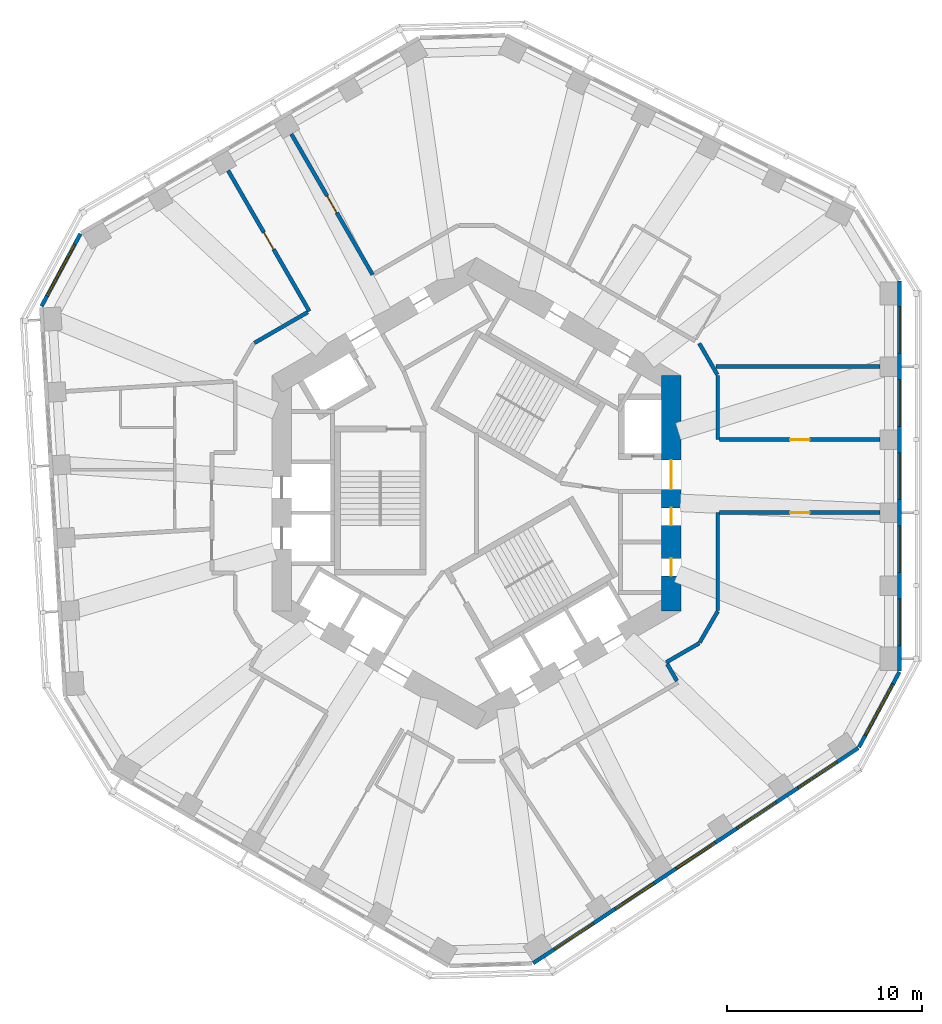
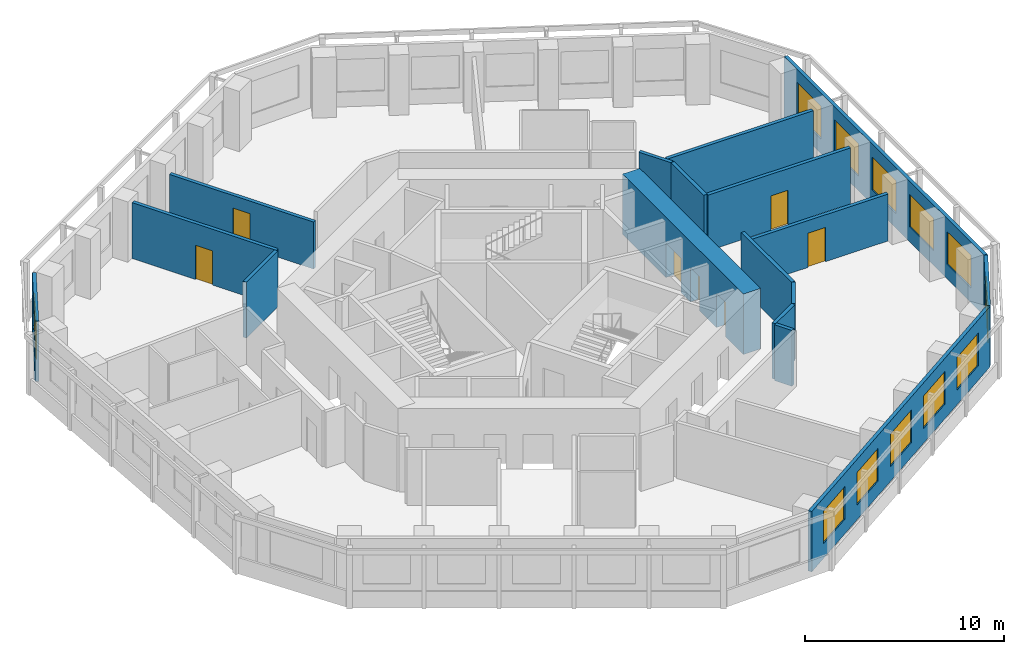
# One storey, part 6 of 10: 17 walls, 12 windows, 7 doors, 19 openings.
"""IFC4 building model written with IfcOpenShell, lengths in metres."""

from ifc_helpers import new_model, si_unit, direction, frame, frame_2d, origin, place, context, subcontext, project, spatial, rectangle, extrude, material, layer, layer_set, type_object, element, fill, save


model = new_model("IFC4")

# Units and contexts
model_context = context("Model", 3, precision=1e-05, world=origin(), true_north=direction((0.0, 1.0)))
body_context = subcontext(model_context, "Body", "Model", "MODEL_VIEW")
ifc_project = project(units=[si_unit("LENGTHUNIT", "METRE"), si_unit("AREAUNIT", "SQUARE_METRE"), si_unit("VOLUMEUNIT", "CUBIC_METRE"), si_unit("PLANEANGLEUNIT", "RADIAN"), si_unit("MASSUNIT", "GRAM", prefix="KILO")], contexts=[model_context])

# Site, building, storey
site_placement = place(None, origin())
site = spatial("IfcSite", under=ifc_project, at=site_placement, CompositionType="ELEMENT")
building_placement = place(site_placement, origin())
building = spatial("IfcBuilding", under=site, at=building_placement, Name="Vanh Sen Convention Tower", CompositionType="ELEMENT")
storey_placement = place(building_placement, frame((0.0, 0.0, 161.39990234375)))
storey = spatial("IfcBuildingStorey", under=building, at=storey_placement, Name="L39", CompositionType="ELEMENT", Elevation=161.39990234375)

# Wall, openings, doors
ifc_material_1 = material(Name="Concrete C80/95", Category="concrete")
ifc_layer_1 = layer(ifc_material_1, 1.0)
ifc_layer_set_1 = layer_set([ifc_layer_1], Name="Concrete C80/95")
wall_type_1 = type_object("IfcWallType", Name="Core outer wall 1000 C80/95", PredefinedType="SHEAR", material=ifc_layer_set_1)
wall_1_placement = place(storey_placement, frame((10.0, -6.062255859375, 0.0), z_axis=(0.0, 0.0, 1.0), x_axis=(0.0, 1.0, 0.0)))
wall_1 = element("IfcWall", 1, at=wall_1_placement, inside=storey, type_object=wall_type_1, Name="Core wall face E L39", PredefinedType="SHEAR", context=body_context, shape_type="SweptSolid", body=[
    extrude(rectangle(XDim=12.12451171875, YDim=1.0, at=frame_2d((6.062255859375, 0.0))), origin(), (0.0, 0.0, 1.0), 3.7001953125),
])
opening_1_placement = place(wall_1_placement, frame((6.26220703125, 0.0, 0.0)))
opening_1 = element("IfcOpeningElement", 2, at=opening_1_placement, cuts=wall_1, Name="Opening D38001", PredefinedType="OPENING", context=body_context, shape_type="SweptSolid", body=[
    extrude(rectangle(XDim=1.5, YDim=2.10009765625, at=frame_2d((0.75, 1.050048828125))), frame((0.0, 0.510009765625, 0.0), z_axis=(0.0, -1.0, 0.0), x_axis=(1.0, 0.0, 0.0)), (0.0, 0.0, 1.0), 1.02001953125),
])
opening_2_placement = place(wall_1_placement, frame((1.812255859375, 0.0, 0.0)))
opening_2 = element("IfcOpeningElement", 3, at=opening_2_placement, cuts=wall_1, Name="Opening D38009", PredefinedType="OPENING", context=body_context, shape_type="SweptSolid", body=[
    extrude(rectangle(XDim=0.89990234375, YDim=2.10009765625, at=frame_2d((0.449951171875, 1.050048828125))), frame((0.0, 0.510009765625, 0.0), z_axis=(0.0, -1.0, 0.0), x_axis=(1.0, 0.0, 0.0)), (0.0, 0.0, 1.0), 1.02001953125),
])
opening_3_placement = place(wall_1_placement, frame((4.412109375, 0.0, 0.0)))
opening_3 = element("IfcOpeningElement", 4, at=opening_3_placement, cuts=wall_1, Name="Opening D38010", PredefinedType="OPENING", context=body_context, shape_type="SweptSolid", body=[
    extrude(rectangle(XDim=0.89990234375, YDim=2.10009765625, at=frame_2d((0.449951171875, 1.050048828125))), frame((0.0, 0.510009765625, 0.0), z_axis=(0.0, -1.0, 0.0), x_axis=(1.0, 0.0, 0.0)), (0.0, 0.0, 1.0), 1.02001953125),
])
ifc_material_2 = material(Name="Steel S355", Category="steel")
door_type_1 = type_object("IfcDoorType", Name="Plant door 900", OperationType="SINGLE_SWING_LEFT", PredefinedType="DOOR", material=ifc_material_2)
door_1_placement = place(opening_2_placement, origin())
door_1 = element("IfcDoor", 5, at=door_1_placement, inside=storey, type_object=door_type_1, Name="Plant door D38009", OperationType="SINGLE_SWING_LEFT", OverallHeight=2.10009765625, OverallWidth=0.89990234375, PredefinedType="DOOR", context=body_context, shape_type="SweptSolid", body=[
    extrude(rectangle(XDim=0.89990234375, YDim=2.10009765625, at=frame_2d((0.449951171875, 1.050048828125))), frame((0.0, 0.02490234375, 0.0), z_axis=(0.0, -1.0, 0.0), x_axis=(1.0, 0.0, 0.0)), (0.0, 0.0, 1.0), 0.050048828125),
])
fill(opening_2, door_1)
door_2_placement = place(opening_3_placement, origin())
door_2 = element("IfcDoor", 6, at=door_2_placement, inside=storey, type_object=door_type_1, Name="Plant door D38010", OperationType="SINGLE_SWING_LEFT", OverallHeight=2.10009765625, OverallWidth=0.89990234375, PredefinedType="DOOR", context=body_context, shape_type="SweptSolid", body=[
    extrude(rectangle(XDim=0.89990234375, YDim=2.10009765625, at=frame_2d((0.449951171875, 1.050048828125))), frame((0.0, 0.02490234375, 0.0), z_axis=(0.0, -1.0, 0.0), x_axis=(1.0, 0.0, 0.0)), (0.0, 0.0, 1.0), 0.050048828125),
])
fill(opening_3, door_2)
door_type_2 = type_object("IfcDoorType", Name="Stair lobby door 1500", OperationType="DOUBLE_DOOR_SINGLE_SWING", PredefinedType="DOOR", material=ifc_material_2)
door_3_placement = place(opening_1_placement, origin())
door_3 = element("IfcDoor", 7, at=door_3_placement, inside=storey, type_object=door_type_2, Name="Stair lobby door D38001", OperationType="DOUBLE_DOOR_SINGLE_SWING", OverallHeight=2.10009765625, OverallWidth=1.5, PredefinedType="DOOR", context=body_context, shape_type="SweptSolid", body=[
    extrude(rectangle(XDim=1.5, YDim=2.10009765625, at=frame_2d((0.75, 1.050048828125))), frame((0.0, 0.02490234375, 0.0), z_axis=(0.0, -1.0, 0.0), x_axis=(1.0, 0.0, 0.0)), (0.0, 0.0, 1.0), 0.050048828125),
])
fill(opening_1, door_3)

# Wall, opening, door
ifc_material_3 = material(Name="Gypsum board on steel studs with mineral wool", Category="steel")
ifc_layer_2 = layer(ifc_material_3, 0.199951171875)
ifc_layer_set_2 = layer_set([ifc_layer_2], Name="Gypsum board on steel studs with mineral wool")
wall_type_2 = type_object("IfcWallType", Name="Corridor partition wall 200", PredefinedType="PARTITIONING", material=ifc_layer_set_2)
wall_2_placement = place(storey_placement, frame((-12.766357421875, 16.58935546875, 0.0), z_axis=(0.0, 0.0, 1.0), x_axis=(0.500010139422, -0.866019549707, 0.0)))
wall_2 = element("IfcWall", 8, at=wall_2_placement, inside=storey, type_object=wall_type_2, Name="Corridor partition wall 200", PredefinedType="PARTITIONING", context=body_context, shape_type="SweptSolid", body=[
    extrude(rectangle(XDim=8.349853515625, YDim=0.199951171875, at=frame_2d((4.1748046875, 0.0))), origin(), (0.0, 0.0, 1.0), 3.420166015625),
])
opening_4_placement = place(wall_2_placement, frame((3.675048828125, 0.0, 0.0)))
opening_4 = element("IfcOpeningElement", 9, at=opening_4_placement, cuts=wall_2, Name="Opening D38106", PredefinedType="OPENING", context=body_context, shape_type="SweptSolid", body=[
    extrude(rectangle(XDim=1.0, YDim=2.10009765625, at=frame_2d((0.5, 1.050048828125))), frame((0.0, 0.10986328125, 0.0), z_axis=(0.0, -1.0, 0.0), x_axis=(1.0, 0.0, 0.0)), (0.0, 0.0, 1.0), 0.219970703125),
])
ifc_material_4 = material(Name="Timber fire door in steel frame", Category="steel")
door_type_3 = type_object("IfcDoorType", Name="Floor room door 1000", OperationType="SINGLE_SWING_LEFT", PredefinedType="DOOR", material=ifc_material_4)
door_4_placement = place(opening_4_placement, origin())
door_4 = element("IfcDoor", 10, at=door_4_placement, inside=storey, type_object=door_type_3, Name="Meeting and amenity room door D38106", OperationType="SINGLE_SWING_LEFT", OverallHeight=2.10009765625, OverallWidth=1.0, PredefinedType="DOOR", context=body_context, shape_type="SweptSolid", body=[
    extrude(rectangle(XDim=1.0, YDim=2.10009765625, at=frame_2d((0.5, 1.050048828125))), frame((0.0, 0.02490234375, 0.0), z_axis=(0.0, -1.0, 0.0), x_axis=(1.0, 0.0, 0.0)), (0.0, 0.0, 1.0), 0.050048828125),
])
fill(opening_4, door_4)

wall_3_placement = place(storey_placement, frame((-9.51513671875, 18.46630859375, 0.0), z_axis=(0.0, 0.0, 1.0), x_axis=(0.500010139422, -0.866019549707, 0.0)))
wall_3 = element("IfcWall", 11, at=wall_3_placement, inside=storey, type_object=wall_type_2, Name="Corridor partition wall 200", PredefinedType="PARTITIONING", context=body_context, shape_type="SweptSolid", body=[
    extrude(rectangle(XDim=8.349853515625, YDim=0.199951171875, at=frame_2d((4.1748046875, 0.0))), origin(), (0.0, 0.0, 1.0), 2.8701171875),
])
opening_5_placement = place(wall_3_placement, frame((3.675048828125, 0.0, 0.0)))
opening_5 = element("IfcOpeningElement", 12, at=opening_5_placement, cuts=wall_3, Name="Opening D38105", PredefinedType="OPENING", context=body_context, shape_type="SweptSolid", body=[
    extrude(rectangle(XDim=1.0, YDim=2.10009765625, at=frame_2d((0.5, 1.050048828125))), frame((0.0, 0.10986328125, 0.0), z_axis=(0.0, -1.0, 0.0), x_axis=(1.0, 0.0, 0.0)), (0.0, 0.0, 1.0), 0.219970703125),
])
door_5_placement = place(opening_5_placement, origin())
door_5 = element("IfcDoor", 13, at=door_5_placement, inside=storey, type_object=door_type_3, Name="Meeting and amenity room door D38105", OperationType="SINGLE_SWING_LEFT", OverallHeight=2.10009765625, OverallWidth=1.0, PredefinedType="DOOR", context=body_context, shape_type="SweptSolid", body=[
    extrude(rectangle(XDim=1.0, YDim=2.10009765625, at=frame_2d((0.5, 1.050048828125))), frame((0.0, 0.02490234375, 0.0), z_axis=(0.0, -1.0, 0.0), x_axis=(1.0, 0.0, 0.0)), (0.0, 0.0, 1.0), 0.050048828125),
])
fill(opening_5, door_5)

# Walls
wall_4_placement = place(storey_placement, frame((-8.677978515625, 9.30810546875, 0.0), z_axis=(0.0, 0.0, 1.0), x_axis=(-0.866000359435, -0.500043375578, 0.0)))
element("IfcWall", 14, at=wall_4_placement, inside=storey, type_object=wall_type_2, Name="Corridor partition wall 200", PredefinedType="PARTITIONING", context=body_context, shape_type="SweptSolid", body=[
    extrude(rectangle(XDim=3.160888671875, YDim=0.199951171875, at=frame_2d((1.58056640625, 0.0))), origin(), (0.0, 0.0, 1.0), 3.420166015625),
])
wall_5_placement = place(storey_placement, frame((9.751708984375, -8.688232421875, 0.0), z_axis=(0.0, 0.0, 1.0), x_axis=(0.865974105138, 0.500088841337, 0.0)))
element("IfcWall", 15, at=wall_5_placement, inside=storey, type_object=wall_type_2, Name="Corridor partition wall 200", PredefinedType="PARTITIONING", context=body_context, shape_type="SweptSolid", body=[
    extrude(rectangle(XDim=1.961181640625, YDim=0.199951171875, at=frame_2d((0.98046875, 0.0))), origin(), (0.0, 0.0, 1.0), 3.420166015625),
])
wall_6_placement = place(storey_placement, frame((10.302001953125, -9.6416015625, 0.0), z_axis=(0.0, 0.0, 1.0), x_axis=(-0.500074377092, 0.865982457891, 0.0)))
element("IfcWall", 16, at=wall_6_placement, inside=storey, type_object=wall_type_2, Name="Corridor partition wall 200", PredefinedType="PARTITIONING", context=body_context, shape_type="SweptSolid", body=[
    extrude(rectangle(XDim=1.000732421875, YDim=0.199951171875, at=frame_2d((0.50048828125, 0.0))), origin(), (0.0, 0.0, 1.0), 3.420166015625),
])
for number, where, z_axis, x_axis, name in (
    (17, (11.469970703125, -7.673095703125, 0.0), (0.0, 0.0, 1.0), (0.499964847546, 0.866045698112, 0.0), "Corridor partition wall 200"),
    (18, (12.3798828125, 6.0966796875, 0.0), (0.0, 0.0, 1.0), (-0.499964847546, 0.866045698112, 0.0), "Corridor partition wall 200"),
):
    element("IfcWall", number, at=place(storey_placement, frame(where, z_axis=z_axis, x_axis=x_axis)), inside=storey, type_object=wall_type_2, Name=name, PredefinedType="PARTITIONING", context=body_context, shape_type="SweptSolid", body=[
        extrude(rectangle(XDim=1.860107421875, YDim=0.199951171875, at=frame_2d((0.93017578125, 0.0))), origin(), (0.0, 0.0, 1.0), 3.420166015625),
    ])
wall_7_placement = place(storey_placement, frame((12.39990234375, -6.022216796875, 0.0), z_axis=(0.0, 0.0, 1.0), x_axis=(0.0, 1.0, 0.0)))
element("IfcWall", 19, at=wall_7_placement, inside=storey, type_object=wall_type_2, Name="Corridor partition wall 200", PredefinedType="PARTITIONING", context=body_context, shape_type="SweptSolid", body=[
    extrude(rectangle(XDim=5.029296875, YDim=0.199951171875, at=frame_2d((2.5146484375, 0.0))), origin(), (0.0, 0.0, 1.0), 3.420166015625),
])
wall_8_placement = place(storey_placement, frame((12.39990234375, 2.76123046875, 0.0), z_axis=(0.0, 0.0, 1.0), x_axis=(0.0, 1.0, 0.0)))
element("IfcWall", 20, at=wall_8_placement, inside=storey, type_object=wall_type_2, Name="Corridor partition wall 200", PredefinedType="PARTITIONING", context=body_context, shape_type="SweptSolid", body=[
    extrude(rectangle(XDim=3.301025390625, YDim=0.199951171875, at=frame_2d((1.650390625, 0.0))), origin(), (0.0, 0.0, 1.0), 3.420166015625),
])

# Wall, opening, door
wall_9_placement = place(storey_placement, frame((12.5, -0.992919921875, 0.0), z_axis=(0.0, 0.0, 1.0), x_axis=(1.0, 0.0, 0.0)))
wall_9 = element("IfcWall", 21, at=wall_9_placement, inside=storey, type_object=wall_type_2, Name="Corridor partition wall 200", PredefinedType="PARTITIONING", context=body_context, shape_type="SweptSolid", body=[
    extrude(rectangle(XDim=8.25, YDim=0.199951171875, at=frame_2d((4.125, 0.0))), origin(), (0.0, 0.0, 1.0), 2.8701171875),
])
opening_6_placement = place(wall_9_placement, frame((3.625, 0.0, 0.0)))
opening_6 = element("IfcOpeningElement", 22, at=opening_6_placement, cuts=wall_9, Name="Opening D38116", PredefinedType="OPENING", context=body_context, shape_type="SweptSolid", body=[
    extrude(rectangle(XDim=1.0, YDim=2.10009765625, at=frame_2d((0.5, 1.050048828125))), frame((0.0, 0.10986328125, 0.0), z_axis=(0.0, -1.0, 0.0), x_axis=(1.0, 0.0, 0.0)), (0.0, 0.0, 1.0), 0.219970703125),
])
door_6_placement = place(opening_6_placement, origin())
door_6 = element("IfcDoor", 23, at=door_6_placement, inside=storey, type_object=door_type_3, Name="Meeting and amenity room door D38116", OperationType="SINGLE_SWING_LEFT", OverallHeight=2.10009765625, OverallWidth=1.0, PredefinedType="DOOR", context=body_context, shape_type="SweptSolid", body=[
    extrude(rectangle(XDim=1.0, YDim=2.10009765625, at=frame_2d((0.5, 1.050048828125))), frame((0.0, 0.02490234375, 0.0), z_axis=(0.0, -1.0, 0.0), x_axis=(1.0, 0.0, 0.0)), (0.0, 0.0, 1.0), 0.050048828125),
])
fill(opening_6, door_6)

wall_10_placement = place(storey_placement, frame((20.75, 2.76123046875, 0.0), z_axis=(0.0, 0.0, 1.0), x_axis=(-1.0, 0.0, 0.0)))
wall_10 = element("IfcWall", 24, at=wall_10_placement, inside=storey, type_object=wall_type_2, Name="Corridor partition wall 200", PredefinedType="PARTITIONING", context=body_context, shape_type="SweptSolid", body=[
    extrude(rectangle(XDim=8.25, YDim=0.199951171875, at=frame_2d((4.125, 0.0))), origin(), (0.0, 0.0, 1.0), 3.420166015625),
])
opening_7_placement = place(wall_10_placement, frame((3.625, 0.0, 0.0)))
opening_7 = element("IfcOpeningElement", 25, at=opening_7_placement, cuts=wall_10, Name="Opening D38101", PredefinedType="OPENING", context=body_context, shape_type="SweptSolid", body=[
    extrude(rectangle(XDim=1.0, YDim=2.10009765625, at=frame_2d((0.5, 1.050048828125))), frame((0.0, 0.10986328125, 0.0), z_axis=(0.0, -1.0, 0.0), x_axis=(1.0, 0.0, 0.0)), (0.0, 0.0, 1.0), 0.219970703125),
])
ifc_material_5 = material(Name="Glazed fire door in steel frame", Category="steel")
door_type_4 = type_object("IfcDoorType", Name="Tenant entrance door 1000", OperationType="SINGLE_SWING_LEFT", PredefinedType="DOOR", material=ifc_material_5)
door_7_placement = place(opening_7_placement, origin())
door_7 = element("IfcDoor", 26, at=door_7_placement, inside=storey, type_object=door_type_4, Name="Tenant suite entrance door D38101", OperationType="SINGLE_SWING_LEFT", OverallHeight=2.10009765625, OverallWidth=1.0, PredefinedType="DOOR", context=body_context, shape_type="SweptSolid", body=[
    extrude(rectangle(XDim=1.0, YDim=2.10009765625, at=frame_2d((0.5, 1.050048828125))), frame((0.0, 0.02490234375, 0.0), z_axis=(0.0, -1.0, 0.0), x_axis=(1.0, 0.0, 0.0)), (0.0, 0.0, 1.0), 0.050048828125),
])
fill(opening_7, door_7)

# Wall, openings, windows
ifc_material_6 = material(Name="Insulated lightweight infill wall")
ifc_layer_3 = layer(ifc_material_6, 0.199951171875)
ifc_layer_set_3 = layer_set([ifc_layer_3], Name="Insulated lightweight infill wall")
wall_type_3 = type_object("IfcWallType", Name="External wall 200", PredefinedType="STANDARD", material=ifc_layer_set_3)
wall_11_placement = place(storey_placement, frame((21.75, -9.138427734375, 0.0), z_axis=(0.0, 0.0, 1.0), x_axis=(0.0, 1.0, 0.0)))
wall_11 = element("IfcWall", 27, at=wall_11_placement, inside=storey, type_object=wall_type_3, Name="External wall E L39", PredefinedType="STANDARD", context=body_context, shape_type="SweptSolid", body=[
    extrude(rectangle(XDim=20.043701171875, YDim=0.199951171875, at=frame_2d((10.02197265625, 0.0))), origin(), (0.0, 0.0, 1.0), 3.7001953125),
])
opening_8_placement = place(wall_11_placement, frame((1.314453125, 0.0, 0.89990234375)))
opening_8 = element("IfcOpeningElement", 28, at=opening_8_placement, cuts=wall_11, Name="Opening WO1-E1", PredefinedType="OPENING", context=body_context, shape_type="SweptSolid", body=[
    extrude(rectangle(XDim=2.39990234375, YDim=2.0, at=frame_2d((1.199951171875, 1.0))), frame((0.0, 0.10986328125, 0.0), z_axis=(0.0, -1.0, 0.0), x_axis=(1.0, 0.0, 0.0)), (0.0, 0.0, 1.0), 0.219970703125),
])
opening_9_placement = place(wall_11_placement, frame((5.068603515625, 0.0, 0.89990234375)))
opening_9 = element("IfcOpeningElement", 29, at=opening_9_placement, cuts=wall_11, Name="Opening WO1-E2", PredefinedType="OPENING", context=body_context, shape_type="SweptSolid", body=[
    extrude(rectangle(XDim=2.39990234375, YDim=2.0, at=frame_2d((1.199951171875, 1.0))), frame((0.0, 0.10986328125, 0.0), z_axis=(0.0, -1.0, 0.0), x_axis=(1.0, 0.0, 0.0)), (0.0, 0.0, 1.0), 0.219970703125),
])
opening_10_placement = place(wall_11_placement, frame((8.82275390625, 0.0, 0.89990234375)))
opening_10 = element("IfcOpeningElement", 30, at=opening_10_placement, cuts=wall_11, Name="Opening WO1-E3", PredefinedType="OPENING", context=body_context, shape_type="SweptSolid", body=[
    extrude(rectangle(XDim=2.39990234375, YDim=2.0, at=frame_2d((1.199951171875, 1.0))), frame((0.0, 0.10986328125, 0.0), z_axis=(0.0, -1.0, 0.0), x_axis=(1.0, 0.0, 0.0)), (0.0, 0.0, 1.0), 0.219970703125),
])
opening_11_placement = place(wall_11_placement, frame((12.576904296875, 0.0, 0.89990234375)))
opening_11 = element("IfcOpeningElement", 31, at=opening_11_placement, cuts=wall_11, Name="Opening WO1-E4", PredefinedType="OPENING", context=body_context, shape_type="SweptSolid", body=[
    extrude(rectangle(XDim=2.39990234375, YDim=2.0, at=frame_2d((1.199951171875, 1.0))), frame((0.0, 0.10986328125, 0.0), z_axis=(0.0, -1.0, 0.0), x_axis=(1.0, 0.0, 0.0)), (0.0, 0.0, 1.0), 0.219970703125),
])
opening_12_placement = place(wall_11_placement, frame((16.330810546875, 0.0, 0.89990234375)))
opening_12 = element("IfcOpeningElement", 32, at=opening_12_placement, cuts=wall_11, Name="Opening WO1-E5", PredefinedType="OPENING", context=body_context, shape_type="SweptSolid", body=[
    extrude(rectangle(XDim=2.39990234375, YDim=2.0, at=frame_2d((1.199951171875, 1.0))), frame((0.0, 0.10986328125, 0.0), z_axis=(0.0, -1.0, 0.0), x_axis=(1.0, 0.0, 0.0)), (0.0, 0.0, 1.0), 0.219970703125),
])
ifc_material_7 = material(Name="Aluminium frame with clear low-emissivity glass", Category="aluminium")
window_type_1 = type_object("IfcWindowType", Name="Office window 2400 x 2000", PartitioningType="SINGLE_PANEL", PredefinedType="WINDOW", material=ifc_material_7)
window_1_placement = place(opening_8_placement, origin())
window_1 = element("IfcWindow", 33, at=window_1_placement, inside=storey, type_object=window_type_1, Name="Window WO1-E1", OverallHeight=2.0, OverallWidth=2.39990234375, PartitioningType="SINGLE_PANEL", PredefinedType="WINDOW", context=body_context, shape_type="SweptSolid", body=[
    extrude(rectangle(XDim=2.39990234375, YDim=2.0, at=frame_2d((1.199951171875, 1.0))), frame((0.0, 0.030029296875, 0.0), z_axis=(0.0, -1.0, 0.0), x_axis=(1.0, 0.0, 0.0)), (0.0, 0.0, 1.0), 0.06005859375),
])
fill(opening_8, window_1)
window_2_placement = place(opening_9_placement, origin())
window_2 = element("IfcWindow", 34, at=window_2_placement, inside=storey, type_object=window_type_1, Name="Window WO1-E2", OverallHeight=2.0, OverallWidth=2.39990234375, PartitioningType="SINGLE_PANEL", PredefinedType="WINDOW", context=body_context, shape_type="SweptSolid", body=[
    extrude(rectangle(XDim=2.39990234375, YDim=2.0, at=frame_2d((1.199951171875, 1.0))), frame((0.0, 0.030029296875, 0.0), z_axis=(0.0, -1.0, 0.0), x_axis=(1.0, 0.0, 0.0)), (0.0, 0.0, 1.0), 0.06005859375),
])
fill(opening_9, window_2)
window_3_placement = place(opening_10_placement, origin())
window_3 = element("IfcWindow", 35, at=window_3_placement, inside=storey, type_object=window_type_1, Name="Window WO1-E3", OverallHeight=2.0, OverallWidth=2.39990234375, PartitioningType="SINGLE_PANEL", PredefinedType="WINDOW", context=body_context, shape_type="SweptSolid", body=[
    extrude(rectangle(XDim=2.39990234375, YDim=2.0, at=frame_2d((1.199951171875, 1.0))), frame((0.0, 0.030029296875, 0.0), z_axis=(0.0, -1.0, 0.0), x_axis=(1.0, 0.0, 0.0)), (0.0, 0.0, 1.0), 0.06005859375),
])
fill(opening_10, window_3)
window_4_placement = place(opening_11_placement, origin())
window_4 = element("IfcWindow", 36, at=window_4_placement, inside=storey, type_object=window_type_1, Name="Window WO1-E4", OverallHeight=2.0, OverallWidth=2.39990234375, PartitioningType="SINGLE_PANEL", PredefinedType="WINDOW", context=body_context, shape_type="SweptSolid", body=[
    extrude(rectangle(XDim=2.39990234375, YDim=2.0, at=frame_2d((1.199951171875, 1.0))), frame((0.0, 0.030029296875, 0.0), z_axis=(0.0, -1.0, 0.0), x_axis=(1.0, 0.0, 0.0)), (0.0, 0.0, 1.0), 0.06005859375),
])
fill(opening_11, window_4)
window_5_placement = place(opening_12_placement, origin())
window_5 = element("IfcWindow", 37, at=window_5_placement, inside=storey, type_object=window_type_1, Name="Window WO1-E5", OverallHeight=2.0, OverallWidth=2.39990234375, PartitioningType="SINGLE_PANEL", PredefinedType="WINDOW", context=body_context, shape_type="SweptSolid", body=[
    extrude(rectangle(XDim=2.39990234375, YDim=2.0, at=frame_2d((1.199951171875, 1.0))), frame((0.0, 0.030029296875, 0.0), z_axis=(0.0, -1.0, 0.0), x_axis=(1.0, 0.0, 0.0)), (0.0, 0.0, 1.0), 0.06005859375),
])
fill(opening_12, window_5)

# Wall, opening, window
wall_12_placement = place(storey_placement, frame((-20.357421875, 13.343994140625, 0.0), z_axis=(0.0, 0.0, 1.0), x_axis=(-0.473288913494, -0.880907262068, 0.0)))
wall_12 = element("IfcWall", 38, at=wall_12_placement, inside=storey, type_object=wall_type_3, Name="External wall CH3 L39", PredefinedType="STANDARD", context=body_context, shape_type="SweptSolid", body=[
    extrude(rectangle(XDim=4.238037109375, YDim=0.199951171875, at=frame_2d((2.119140625, 0.0))), origin(), (0.0, 0.0, 1.0), 3.7001953125),
])
opening_13_placement = place(wall_12_placement, frame((0.619140625, 0.0, 0.89990234375)))
opening_13 = element("IfcOpeningElement", 39, at=opening_13_placement, cuts=wall_12, Name="Opening WO2-CH31", PredefinedType="OPENING", context=body_context, shape_type="SweptSolid", body=[
    extrude(rectangle(XDim=3.0, YDim=2.0, at=frame_2d((1.5, 1.0))), frame((0.0, 0.10986328125, 0.0), z_axis=(0.0, -1.0, 0.0), x_axis=(1.0, 0.0, 0.0)), (0.0, 0.0, 1.0), 0.219970703125),
])
window_type_2 = type_object("IfcWindowType", Name="Office window 3000 x 2000", PartitioningType="SINGLE_PANEL", PredefinedType="WINDOW", material=ifc_material_7)
window_6_placement = place(opening_13_placement, origin())
window_6 = element("IfcWindow", 40, at=window_6_placement, inside=storey, type_object=window_type_2, Name="Window WO2-CH31", OverallHeight=2.0, OverallWidth=3.0, PartitioningType="SINGLE_PANEL", PredefinedType="WINDOW", context=body_context, shape_type="SweptSolid", body=[
    extrude(rectangle(XDim=3.0, YDim=2.0, at=frame_2d((1.5, 1.0))), frame((0.0, 0.030029296875, 0.0), z_axis=(0.0, -1.0, 0.0), x_axis=(1.0, 0.0, 0.0)), (0.0, 0.0, 1.0), 0.06005859375),
])
fill(opening_13, window_6)

# Wall, openings, windows
wall_13_placement = place(storey_placement, frame((2.910888671875, -24.156005859375, 0.0), z_axis=(0.0, 0.0, 1.0), x_axis=(0.833882163564, 0.551942512668, 0.0)))
wall_13 = element("IfcWall", 41, at=wall_13_placement, inside=storey, type_object=wall_type_3, Name="External wall SE L39", PredefinedType="STANDARD", context=body_context, shape_type="SweptSolid", body=[
    extrude(rectangle(XDim=20.043701171875, YDim=0.199951171875, at=frame_2d((10.02197265625, 0.0))), origin(), (0.0, 0.0, 1.0), 3.7001953125),
])
opening_14_placement = place(wall_13_placement, frame((1.312744140625, 0.0, 0.89990234375)))
opening_14 = element("IfcOpeningElement", 42, at=opening_14_placement, cuts=wall_13, Name="Opening WO1-SE1", PredefinedType="OPENING", context=body_context, shape_type="SweptSolid", body=[
    extrude(rectangle(XDim=2.39990234375, YDim=2.0, at=frame_2d((1.199951171875, 1.0))), frame((0.0, 0.10986328125, 0.0), z_axis=(0.0, -1.0, 0.0), x_axis=(1.0, 0.0, 0.0)), (0.0, 0.0, 1.0), 0.219970703125),
])
opening_15_placement = place(wall_13_placement, frame((5.06689453125, 0.0, 0.89990234375)))
opening_15 = element("IfcOpeningElement", 43, at=opening_15_placement, cuts=wall_13, Name="Opening WO1-SE2", PredefinedType="OPENING", context=body_context, shape_type="SweptSolid", body=[
    extrude(rectangle(XDim=2.39990234375, YDim=2.0, at=frame_2d((1.199951171875, 1.0))), frame((0.0, 0.10986328125, 0.0), z_axis=(0.0, -1.0, 0.0), x_axis=(1.0, 0.0, 0.0)), (0.0, 0.0, 1.0), 0.219970703125),
])
opening_16_placement = place(wall_13_placement, frame((8.82080078125, 0.0, 0.89990234375)))
opening_16 = element("IfcOpeningElement", 44, at=opening_16_placement, cuts=wall_13, Name="Opening WO1-SE3", PredefinedType="OPENING", context=body_context, shape_type="SweptSolid", body=[
    extrude(rectangle(XDim=2.39990234375, YDim=2.0, at=frame_2d((1.199951171875, 1.0))), frame((0.0, 0.10986328125, 0.0), z_axis=(0.0, -1.0, 0.0), x_axis=(1.0, 0.0, 0.0)), (0.0, 0.0, 1.0), 0.219970703125),
])
opening_17_placement = place(wall_13_placement, frame((12.5751953125, 0.0, 0.89990234375)))
opening_17 = element("IfcOpeningElement", 45, at=opening_17_placement, cuts=wall_13, Name="Opening WO1-SE4", PredefinedType="OPENING", context=body_context, shape_type="SweptSolid", body=[
    extrude(rectangle(XDim=2.39990234375, YDim=2.0, at=frame_2d((1.199951171875, 1.0))), frame((0.0, 0.10986328125, 0.0), z_axis=(0.0, -1.0, 0.0), x_axis=(1.0, 0.0, 0.0)), (0.0, 0.0, 1.0), 0.219970703125),
])
opening_18_placement = place(wall_13_placement, frame((16.3291015625, 0.0, 0.89990234375)))
opening_18 = element("IfcOpeningElement", 46, at=opening_18_placement, cuts=wall_13, Name="Opening WO1-SE5", PredefinedType="OPENING", context=body_context, shape_type="SweptSolid", body=[
    extrude(rectangle(XDim=2.39990234375, YDim=2.0, at=frame_2d((1.199951171875, 1.0))), frame((0.0, 0.10986328125, 0.0), z_axis=(0.0, -1.0, 0.0), x_axis=(1.0, 0.0, 0.0)), (0.0, 0.0, 1.0), 0.219970703125),
])
window_7_placement = place(opening_14_placement, origin())
window_7 = element("IfcWindow", 47, at=window_7_placement, inside=storey, type_object=window_type_1, Name="Window WO1-SE1", OverallHeight=2.0, OverallWidth=2.39990234375, PartitioningType="SINGLE_PANEL", PredefinedType="WINDOW", context=body_context, shape_type="SweptSolid", body=[
    extrude(rectangle(XDim=2.39990234375, YDim=2.0, at=frame_2d((1.199951171875, 1.0))), frame((0.0, 0.030029296875, 0.0), z_axis=(0.0, -1.0, 0.0), x_axis=(1.0, 0.0, 0.0)), (0.0, 0.0, 1.0), 0.06005859375),
])
fill(opening_14, window_7)
window_8_placement = place(opening_15_placement, origin())
window_8 = element("IfcWindow", 48, at=window_8_placement, inside=storey, type_object=window_type_1, Name="Window WO1-SE2", OverallHeight=2.0, OverallWidth=2.39990234375, PartitioningType="SINGLE_PANEL", PredefinedType="WINDOW", context=body_context, shape_type="SweptSolid", body=[
    extrude(rectangle(XDim=2.39990234375, YDim=2.0, at=frame_2d((1.199951171875, 1.0))), frame((0.0, 0.030029296875, 0.0), z_axis=(0.0, -1.0, 0.0), x_axis=(1.0, 0.0, 0.0)), (0.0, 0.0, 1.0), 0.06005859375),
])
fill(opening_15, window_8)
window_9_placement = place(opening_16_placement, origin())
window_9 = element("IfcWindow", 49, at=window_9_placement, inside=storey, type_object=window_type_1, Name="Window WO1-SE3", OverallHeight=2.0, OverallWidth=2.39990234375, PartitioningType="SINGLE_PANEL", PredefinedType="WINDOW", context=body_context, shape_type="SweptSolid", body=[
    extrude(rectangle(XDim=2.39990234375, YDim=2.0, at=frame_2d((1.199951171875, 1.0))), frame((0.0, 0.030029296875, 0.0), z_axis=(0.0, -1.0, 0.0), x_axis=(1.0, 0.0, 0.0)), (0.0, 0.0, 1.0), 0.06005859375),
])
fill(opening_16, window_9)
window_10_placement = place(opening_17_placement, origin())
window_10 = element("IfcWindow", 50, at=window_10_placement, inside=storey, type_object=window_type_1, Name="Window WO1-SE4", OverallHeight=2.0, OverallWidth=2.39990234375, PartitioningType="SINGLE_PANEL", PredefinedType="WINDOW", context=body_context, shape_type="SweptSolid", body=[
    extrude(rectangle(XDim=2.39990234375, YDim=2.0, at=frame_2d((1.199951171875, 1.0))), frame((0.0, 0.030029296875, 0.0), z_axis=(0.0, -1.0, 0.0), x_axis=(1.0, 0.0, 0.0)), (0.0, 0.0, 1.0), 0.06005859375),
])
fill(opening_17, window_10)
window_11_placement = place(opening_18_placement, origin())
window_11 = element("IfcWindow", 51, at=window_11_placement, inside=storey, type_object=window_type_1, Name="Window WO1-SE5", OverallHeight=2.0, OverallWidth=2.39990234375, PartitioningType="SINGLE_PANEL", PredefinedType="WINDOW", context=body_context, shape_type="SweptSolid", body=[
    extrude(rectangle(XDim=2.39990234375, YDim=2.0, at=frame_2d((1.199951171875, 1.0))), frame((0.0, 0.030029296875, 0.0), z_axis=(0.0, -1.0, 0.0), x_axis=(1.0, 0.0, 0.0)), (0.0, 0.0, 1.0), 0.06005859375),
])
fill(opening_18, window_11)

# Wall, opening, window
wall_14_placement = place(storey_placement, frame((19.657958984375, -13.05712890625, 0.0), z_axis=(0.0, 0.0, 1.0), x_axis=(0.473307879841, 0.880897071672, 0.0)))
wall_14 = element("IfcWall", 52, at=wall_14_placement, inside=storey, type_object=wall_type_3, Name="External wall CH6 L39", PredefinedType="STANDARD", context=body_context, shape_type="SweptSolid", body=[
    extrude(rectangle(XDim=4.394775390625, YDim=0.199951171875, at=frame_2d((2.197265625, 0.0))), origin(), (0.0, 0.0, 1.0), 3.7001953125),
])
opening_19_placement = place(wall_14_placement, frame((0.697509765625, 0.0, 0.89990234375)))
opening_19 = element("IfcOpeningElement", 53, at=opening_19_placement, cuts=wall_14, Name="Opening WO2-CH61", PredefinedType="OPENING", context=body_context, shape_type="SweptSolid", body=[
    extrude(rectangle(XDim=3.0, YDim=2.0, at=frame_2d((1.5, 1.0))), frame((0.0, 0.10986328125, 0.0), z_axis=(0.0, -1.0, 0.0), x_axis=(1.0, 0.0, 0.0)), (0.0, 0.0, 1.0), 0.219970703125),
])
window_12_placement = place(opening_19_placement, origin())
window_12 = element("IfcWindow", 54, at=window_12_placement, inside=storey, type_object=window_type_2, Name="Window WO2-CH61", OverallHeight=2.0, OverallWidth=3.0, PartitioningType="SINGLE_PANEL", PredefinedType="WINDOW", context=body_context, shape_type="SweptSolid", body=[
    extrude(rectangle(XDim=3.0, YDim=2.0, at=frame_2d((1.5, 1.0))), frame((0.0, 0.030029296875, 0.0), z_axis=(0.0, -1.0, 0.0), x_axis=(1.0, 0.0, 0.0)), (0.0, 0.0, 1.0), 0.06005859375),
])
fill(opening_19, window_12)

# Wall
ifc_layer_4 = layer(ifc_material_3, 0.199951171875)
ifc_layer_set_4 = layer_set([ifc_layer_4], Name="Gypsum board on steel studs with mineral wool")
wall_type_4 = type_object("IfcWallType", Name="Tenant suite wall 200", PredefinedType="PARTITIONING", material=ifc_layer_set_4)
wall_15_placement = place(storey_placement, frame((20.75, 6.515380859375, 0.0), z_axis=(0.0, 0.0, 1.0), x_axis=(-1.0, 0.0, 0.0)))
element("IfcWall", 55, at=wall_15_placement, inside=storey, type_object=wall_type_4, Name="Tenant suite wall 200", PredefinedType="PARTITIONING", context=body_context, shape_type="SweptSolid", body=[
    extrude(rectangle(XDim=8.45166015625, YDim=0.199951171875, at=frame_2d((4.225830078125, 0.0))), origin(), (0.0, 0.0, 1.0), 3.420166015625),
])

save(model, "model.ifc")
